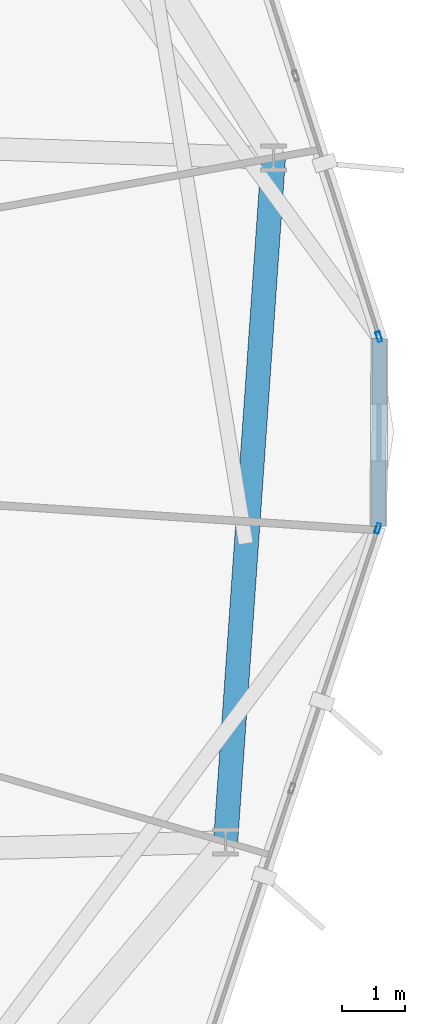
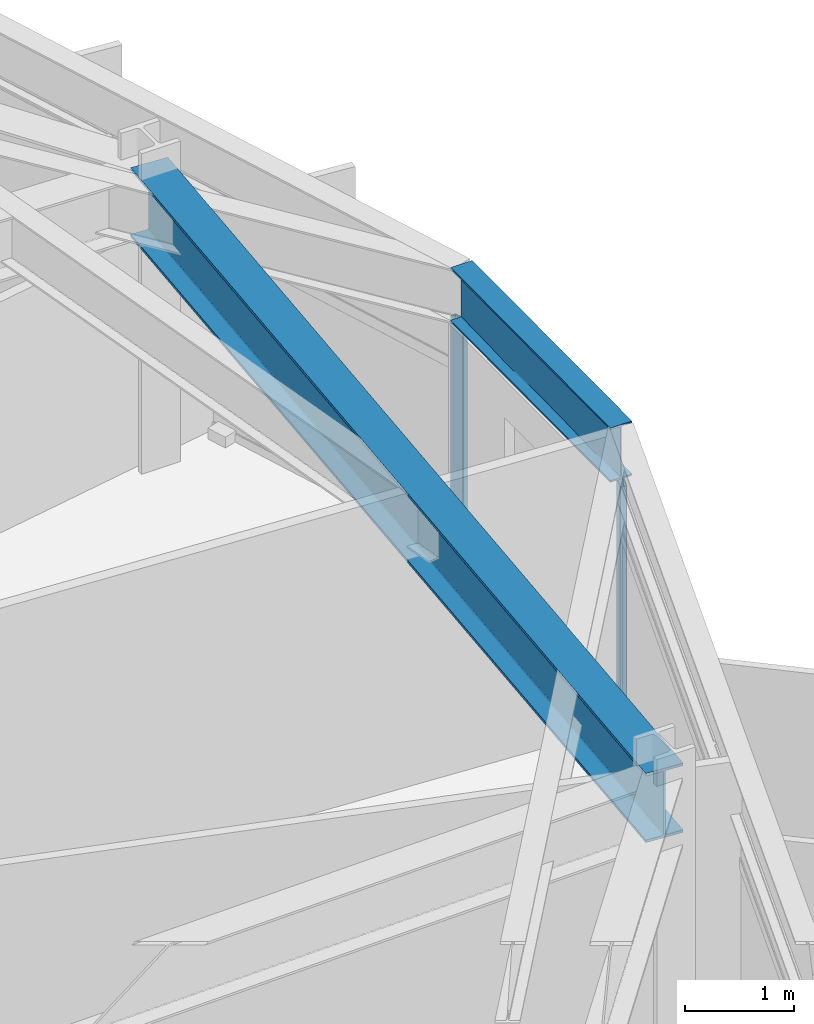
# One storey, part 9 of 24: 2 beams, 2 members, 2 elements without a shape of their own.
"""IFC4 building model written with IfcOpenShell, lengths in metres."""

from ifc_helpers import new_model, si_unit, direction, frame, origin, origin_2d, place, context, subcontext, project, spatial, hollow_rectangle, i_section, extrude, material, layer, layer_set, material_profile, profile_set, type_object, element, aggregate, save


model = new_model("IFC4")

# Units and contexts
model_context = context("Model", 3, precision=1e-05, world=origin(), true_north=direction((0.0, 1.0)))
body_context = subcontext(model_context, "Body", "Model", "MODEL_VIEW")
ifc_project = project(units=[si_unit("LENGTHUNIT", "METRE"), si_unit("AREAUNIT", "SQUARE_METRE"), si_unit("VOLUMEUNIT", "CUBIC_METRE"), si_unit("PLANEANGLEUNIT", "RADIAN"), si_unit("MASSUNIT", "GRAM", prefix="KILO")], contexts=[model_context])

# Site, building, storey
site_placement = place(None, origin())
site = spatial("IfcSite", under=ifc_project, at=site_placement, CompositionType="ELEMENT")
building_placement = place(site_placement, origin())
building = spatial("IfcBuilding", under=site, at=building_placement, Name="Soratama Intermodal Tower", CompositionType="ELEMENT")
storey_placement = place(building_placement, frame((0.0, 0.0, 164.199951171875)))
storey = spatial("IfcBuildingStorey", under=building, at=storey_placement, Name="L40", CompositionType="ELEMENT", Elevation=164.199951171875)

# Beams
ifc_material_1 = material(Name="Structural steel ASTM A992 Grade 50", Category="steel")
ifc_material_profile_1 = material_profile(ifc_material_1, i_section(OverallWidth=0.382080078125, OverallDepth=0.779052734375, WebThickness=0.01806640625, FlangeThickness=0.030029296875, FilletRadius=0.01806640625, at=origin_2d()), Name="W30X191")
ifc_profile_set_1 = profile_set([ifc_material_profile_1], Name="Structural steel ASTM A992 Grade 50")
beam_type_1 = type_object("IfcBeamType", Name="BM-RING-W30X191", PredefinedType="BEAM", material=ifc_profile_set_1)
beam_1_placement = place(storey_placement, frame((61.22607421875, 18.444091796875, 2.91064453125), z_axis=(0.069702217409, 0.99756784275, 0.0), x_axis=(-0.99756784275, 0.069702217409, 0.0)))
element("IfcBeam", 1, at=beam_1_placement, inside=storey, type_object=beam_type_1, Name="BM-L40-RING-10", PredefinedType="BEAM", context=body_context, shape_type="SweptSolid", body=[
    extrude(i_section(OverallWidth=0.382080078125, OverallDepth=0.779052734375, WebThickness=0.01806640625, FlangeThickness=0.030029296875, FilletRadius=0.01806640625, at=origin_2d()), origin(), (0.0, 0.0, 1.0), 10.816162109375),
])
ifc_material_2 = material(Name="Structural steel ASTM A992 Grade 50", Category="steel")
ifc_material_profile_2 = material_profile(ifc_material_2, i_section(OverallWidth=0.22900390625, OverallDepth=0.612060546875, WebThickness=0.011962890625, FlangeThickness=0.01953125, FilletRadius=0.012939453125, at=origin_2d()), Name="W24X84")
ifc_profile_set_2 = profile_set([ifc_material_profile_2], Name="Structural steel ASTM A992 Grade 50")
beam_type_2 = type_object("IfcBeamType", Name="BM-SPN-W24X84", PredefinedType="SPANDREL", material=ifc_profile_set_2)
beam_2_placement = place(storey_placement, frame((63.637939453125, 23.4189453125, 2.994140625), z_axis=(0.005430677754, 0.999985253761, 0.0), x_axis=(-0.999985253761, 0.005430677754, 0.0)))
element("IfcBeam", 2, at=beam_2_placement, inside=storey, type_object=beam_type_2, Name="BS-L40-CRN09", PredefinedType="SPANDREL", context=body_context, shape_type="SweptSolid", body=[
    extrude(i_section(OverallWidth=0.22900390625, OverallDepth=0.612060546875, WebThickness=0.011962890625, FlangeThickness=0.01953125, FilletRadius=0.012939453125, at=origin_2d()), origin(), (0.0, 0.0, 1.0), 2.967041015625),
])

# Curtain wall, member
ifc_material_3 = material(Name="Double-glazed aluminium curtain wall", Category="aluminium")
ifc_layer = layer(ifc_material_3, 0.159912109375)
ifc_layer_set = layer_set([ifc_layer], Name="Double-glazed aluminium curtain wall")
curtain_wall_type = type_object("IfcCurtainWallType", Name="CW-SYS-4", PredefinedType="NOTDEFINED", material=ifc_layer_set)
curtain_wall_1_placement = place(storey_placement, origin())
curtain_wall_1 = element("IfcCurtainWall", 3, at=curtain_wall_1_placement, inside=storey, type_object=curtain_wall_type, Name="L40 Faceted Curtain Wall F09", PredefinedType="NOTDEFINED")
ifc_material_4 = material(Name="Anodised aluminium AA 6063-T6", Category="aluminium")
ifc_material_profile_3 = material_profile(ifc_material_4, hollow_rectangle(XDim=0.070068359375, YDim=0.159912109375, WallThickness=0.0048828125, InnerFilletRadius=0.0048828125, OuterFilletRadius=0.010009765625, at=origin_2d()), Name="CWM160X70X5")
ifc_profile_set_3 = profile_set([ifc_material_profile_3], Name="Anodised aluminium AA 6063-T6")
member_type = type_object("IfcMemberType", Name="MT-CWM-4", PredefinedType="MULLION", material=ifc_profile_set_3)
member_1_placement = place(storey_placement, frame((63.62890625, 23.390625, 0.0), z_axis=(0.0, 0.0, 1.0), x_axis=(-0.949425261398, 0.313993109827, 0.0)))
member_1 = element("IfcMember", 4, at=member_1_placement, type_object=member_type, Name="CW-4 mullion 3", PredefinedType="MULLION", context=body_context, shape_type="SweptSolid", body=[
    extrude(hollow_rectangle(XDim=0.070068359375, YDim=0.159912109375, WallThickness=0.0048828125, InnerFilletRadius=0.0048828125, OuterFilletRadius=0.010009765625, at=origin_2d()), origin(), (0.0, 0.0, 1.0), 2.678955078125),
])
aggregate(curtain_wall_1, [member_1])

curtain_wall_2_placement = place(storey_placement, origin())
curtain_wall_2 = element("IfcCurtainWall", 5, at=curtain_wall_2_placement, inside=storey, type_object=curtain_wall_type, Name="L40 Faceted Curtain Wall F10", PredefinedType="NOTDEFINED")
member_2_placement = place(storey_placement, frame((63.644775390625, 26.4140625, 0.0), z_axis=(0.0, 0.0, 1.0), x_axis=(-0.952662539377, -0.304029745368, 0.0)))
member_2 = element("IfcMember", 6, at=member_2_placement, type_object=member_type, Name="CW-4 mullion 1", PredefinedType="MULLION", context=body_context, shape_type="SweptSolid", body=[
    extrude(hollow_rectangle(XDim=0.070068359375, YDim=0.159912109375, WallThickness=0.0048828125, InnerFilletRadius=0.0048828125, OuterFilletRadius=0.010009765625, at=origin_2d()), origin(), (0.0, 0.0, 1.0), 2.678955078125),
])
aggregate(curtain_wall_2, [member_2])

save(model, "model.ifc")
